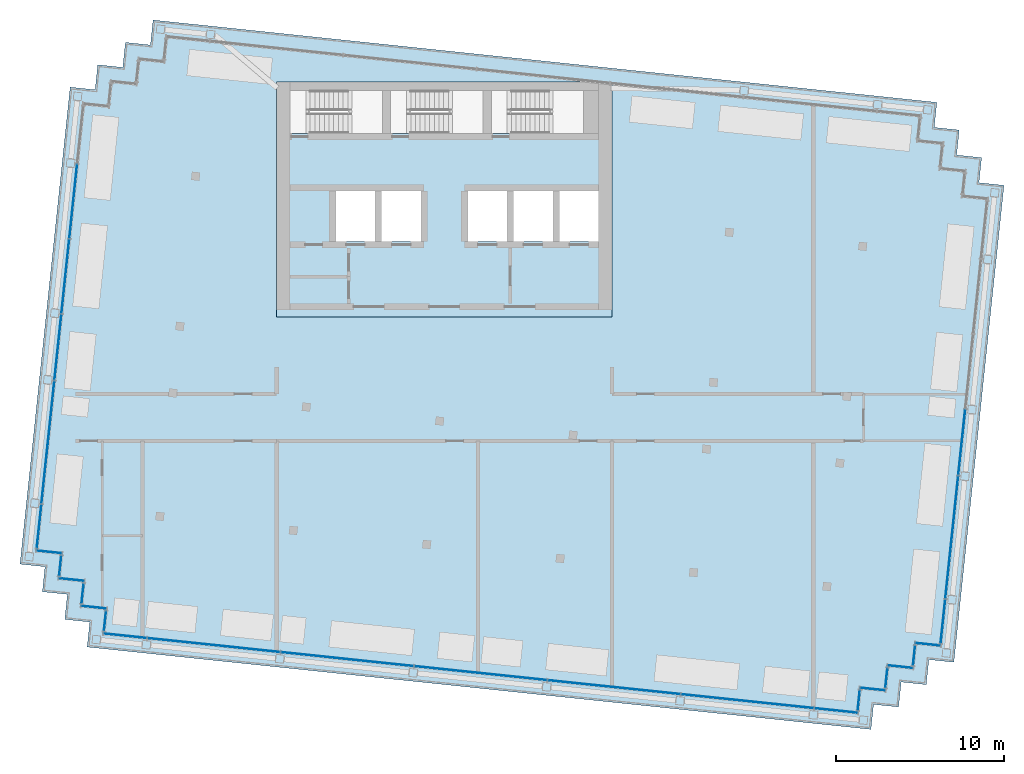
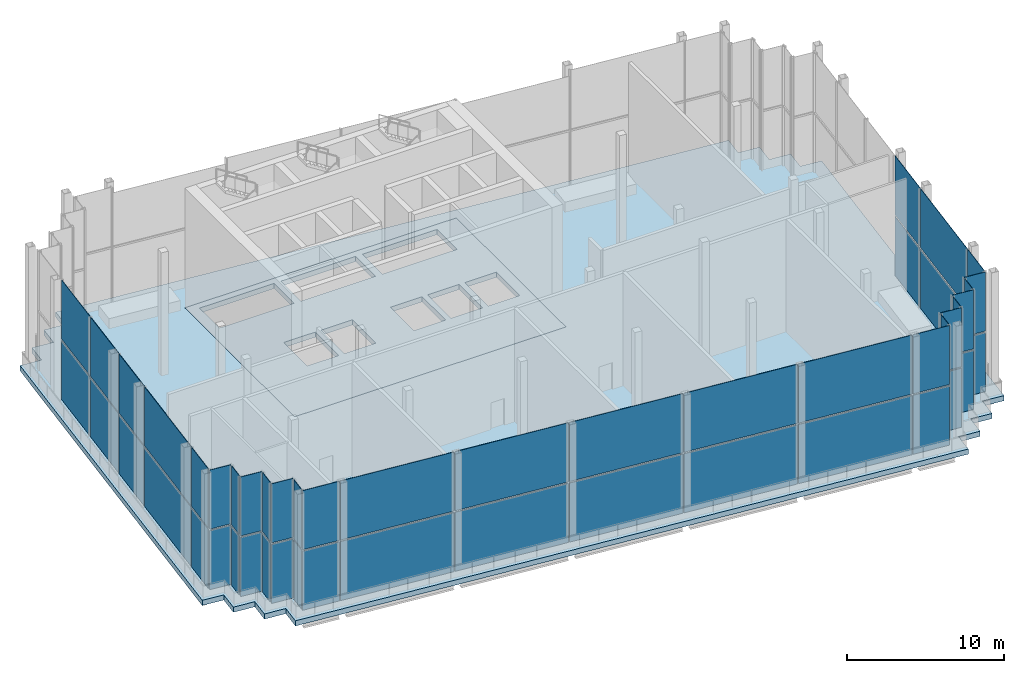
# One storey, part 6 of 14: 54 plates, 2 slabs, 15 elements without a shape of their own.
"""IFC4 building model written with IfcOpenShell, lengths in metres."""

from ifc_helpers import new_model, si_unit, direction, frame, origin, origin_2d, place, context, subcontext, project, spatial, polyline, rectangle, outline, extrude, material, layer, layer_set, type_object, element, aggregate, save


model = new_model("IFC4")

# Units and contexts
model_context = context("Model", 3, precision=1e-05, world=origin(), true_north=direction((0.0, 1.0)))
body_context = subcontext(model_context, "Body", "Model", "MODEL_VIEW")
ifc_project = project(units=[si_unit("LENGTHUNIT", "METRE"), si_unit("AREAUNIT", "SQUARE_METRE"), si_unit("VOLUMEUNIT", "CUBIC_METRE"), si_unit("PLANEANGLEUNIT", "RADIAN"), si_unit("MASSUNIT", "GRAM", prefix="KILO")], contexts=[model_context])

# Site, building, storey
site_placement = place(None, origin())
site = spatial("IfcSite", under=ifc_project, at=site_placement, CompositionType="ELEMENT")
building_placement = place(site_placement, origin())
building = spatial("IfcBuilding", under=site, at=building_placement, Name="Vidyagriha Tower", CompositionType="ELEMENT")
storey_placement = place(building_placement, frame((0.0, 0.0, 281.89990234375)))
storey = spatial("IfcBuildingStorey", under=building, at=storey_placement, Name="L74", CompositionType="ELEMENT", Elevation=281.89990234375)

# Slab
ifc_material_1 = material(Name="Concrete C60/75", Category="concrete")
ifc_layer_1 = layer(ifc_material_1, 0.39990234375)
ifc_layer_set_1 = layer_set([ifc_layer_1], Name="Concrete C60/75")
slab_type_1 = type_object("IfcSlabType", Name="Core floor slab 400 mm", PredefinedType="FLOOR", material=ifc_layer_set_1)
slab_1_placement = place(storey_placement, frame((0.0, 0.0, -0.39990234375)))
element("IfcSlab", 1, at=slab_1_placement, inside=storey, type_object=slab_type_1, Name="L74 core floor 1", PredefinedType="FLOOR", context=body_context, shape_type="SweptSolid", body=[
    extrude(outline(polyline([(-10.0, 6.0), (-10.0, 20.0), (10.0, 20.0), (10.0, 6.0), (-10.0, 6.0)]), holes=[polyline([(6.86669921875, 13.5), (6.86669921875, 10.5), (9.199951171875, 10.5), (9.199951171875, 13.5), (6.86669921875, 13.5)]), polyline([(4.0, 19.5), (2.800048828125, 19.5), (2.800048828125, 16.949951171875), (4.0, 16.949951171875), (8.300048828125, 16.949951171875), (8.300048828125, 19.5), (4.0, 19.5)]), polyline([(6.466796875, 13.5), (4.13330078125, 13.5), (4.13330078125, 10.5), (6.466796875, 10.5), (6.466796875, 13.5)]), polyline([(3.7333984375, 13.5), (1.39990234375, 13.5), (1.39990234375, 10.5), (3.7333984375, 10.5), (3.7333984375, 13.5)]), polyline([(-2.0, 16.949951171875), (2.300048828125, 16.949951171875), (2.300048828125, 19.5), (-2.0, 19.5), (-3.199951171875, 19.5), (-3.199951171875, 16.949951171875), (-2.0, 16.949951171875)]), polyline([(-3.7333984375, 13.5), (-3.7333984375, 10.5), (-1.39990234375, 10.5), (-1.39990234375, 13.5), (-3.7333984375, 13.5)]), polyline([(-9.199951171875, 19.5), (-9.199951171875, 16.949951171875), (-8.0, 16.949951171875), (-3.699951171875, 16.949951171875), (-3.699951171875, 19.5), (-8.0, 19.5), (-9.199951171875, 19.5)]), polyline([(-6.466796875, 13.5), (-6.466796875, 10.5), (-4.13330078125, 10.5), (-4.13330078125, 13.5), (-6.466796875, 13.5)])]), origin(), (0.0, 0.0, 1.0), 0.39990234375),
])

# Curtain wall, plates
ifc_material_2 = material(Name="Aluminium and glass curtain wall", Category="aluminium")
curtain_wall_type = type_object("IfcCurtainWallType", Name="Winter garden glazing wall", PredefinedType="USERDEFINED", material=ifc_material_2)
curtain_wall_1_placement = place(storey_placement, origin())
curtain_wall_1 = element("IfcCurtainWall", 2, at=curtain_wall_1_placement, inside=storey, type_object=curtain_wall_type, Name="CW3 winter garden glazing", ObjectType="STICK GLAZING", PredefinedType="USERDEFINED")
ifc_material_3 = material(Name="Laminated green-tint solar-control glass", Category="glass")
ifc_layer_2 = layer(ifc_material_3, 0.031982421875)
ifc_layer_set_2 = layer_set([ifc_layer_2], Name="Laminated green-tint solar-control glass")
plate_type = type_object("IfcPlateType", Name="Green-tint winter garden glass panel", PredefinedType="CURTAIN_PANEL", material=ifc_layer_set_2)
plate_1_placement = place(storey_placement, frame((-22.12744140625, 12.894287109375, 0.0), z_axis=(0.0, 0.0, 1.0), x_axis=(-0.104527289697, -0.994522018715, 0.0)))
plate_1 = element("IfcPlate", 3, at=plate_1_placement, type_object=plate_type, Name="CW3 panel 2.1", PredefinedType="CURTAIN_PANEL", context=body_context, shape_type="SweptSolid", body=[
    extrude(rectangle(XDim=4.420166015625, YDim=0.031982421875, at=origin_2d()), origin(), (0.0, 0.0, 1.0), 4.60009765625),
])
plate_2_placement = place(storey_placement, frame((-22.12744140625, 12.894287109375, 4.719970703125), z_axis=(0.0, 0.0, 1.0), x_axis=(-0.104527289697, -0.994522018715, 0.0)))
plate_2 = element("IfcPlate", 4, at=plate_2_placement, type_object=plate_type, Name="CW3 panel 2.2", PredefinedType="CURTAIN_PANEL", context=body_context, shape_type="SweptSolid", body=[
    extrude(rectangle(XDim=4.420166015625, YDim=0.031982421875, at=origin_2d()), origin(), (0.0, 0.0, 1.0), 4.60009765625),
])
plate_3_placement = place(storey_placement, frame((-22.597900390625, 8.4189453125, 0.0), z_axis=(0.0, 0.0, 1.0), x_axis=(-0.104527289697, -0.994522018715, 0.0)))
plate_3 = element("IfcPlate", 5, at=plate_3_placement, type_object=plate_type, Name="CW3 panel 3.1", PredefinedType="CURTAIN_PANEL", context=body_context, shape_type="SweptSolid", body=[
    extrude(rectangle(XDim=4.419921875, YDim=0.031982421875, at=origin_2d()), origin(), (0.0, 0.0, 1.0), 4.60009765625),
])
plate_4_placement = place(storey_placement, frame((-22.597900390625, 8.4189453125, 4.719970703125), z_axis=(0.0, 0.0, 1.0), x_axis=(-0.104527289697, -0.994522018715, 0.0)))
plate_4 = element("IfcPlate", 6, at=plate_4_placement, type_object=plate_type, Name="CW3 panel 3.2", PredefinedType="CURTAIN_PANEL", context=body_context, shape_type="SweptSolid", body=[
    extrude(rectangle(XDim=4.419921875, YDim=0.031982421875, at=origin_2d()), origin(), (0.0, 0.0, 1.0), 4.60009765625),
])
plate_5_placement = place(storey_placement, frame((-23.0419921875, 4.192138671875, 0.0), z_axis=(0.0, 0.0, 1.0), x_axis=(-0.104527289697, -0.994522018715, 0.0)))
plate_5 = element("IfcPlate", 7, at=plate_5_placement, type_object=plate_type, Name="CW3 panel 4.1", PredefinedType="CURTAIN_PANEL", context=body_context, shape_type="SweptSolid", body=[
    extrude(rectangle(XDim=3.919921875, YDim=0.031982421875, at=origin_2d()), origin(), (0.0, 0.0, 1.0), 4.60009765625),
])
plate_6_placement = place(storey_placement, frame((-23.0419921875, 4.192138671875, 4.719970703125), z_axis=(0.0, 0.0, 1.0), x_axis=(-0.104527289697, -0.994522018715, 0.0)))
plate_6 = element("IfcPlate", 8, at=plate_6_placement, type_object=plate_type, Name="CW3 panel 4.2", PredefinedType="CURTAIN_PANEL", context=body_context, shape_type="SweptSolid", body=[
    extrude(rectangle(XDim=3.919921875, YDim=0.031982421875, at=origin_2d()), origin(), (0.0, 0.0, 1.0), 4.60009765625),
])
plate_7_placement = place(storey_placement, frame((-23.637939453125, -1.4765625, 0.0), z_axis=(0.0, 0.0, 1.0), x_axis=(-0.104527289697, -0.994522018715, 0.0)))
plate_7 = element("IfcPlate", 9, at=plate_7_placement, type_object=plate_type, Name="CW3 panel 5.1", PredefinedType="CURTAIN_PANEL", context=body_context, shape_type="SweptSolid", body=[
    extrude(rectangle(XDim=7.320068359375, YDim=0.031982421875, at=origin_2d()), origin(), (0.0, 0.0, 1.0), 4.60009765625),
])
plate_8_placement = place(storey_placement, frame((-23.637939453125, -1.4765625, 4.719970703125), z_axis=(0.0, 0.0, 1.0), x_axis=(-0.104527289697, -0.994522018715, 0.0)))
plate_8 = element("IfcPlate", 10, at=plate_8_placement, type_object=plate_type, Name="CW3 panel 5.2", PredefinedType="CURTAIN_PANEL", context=body_context, shape_type="SweptSolid", body=[
    extrude(rectangle(XDim=7.320068359375, YDim=0.031982421875, at=origin_2d()), origin(), (0.0, 0.0, 1.0), 4.60009765625),
])
plate_9_placement = place(storey_placement, frame((-24.164794921875, -6.489013671875, 0.0), z_axis=(0.0, 0.0, 1.0), x_axis=(-0.104527289697, -0.994522018715, 0.0)))
plate_9 = element("IfcPlate", 11, at=plate_9_placement, type_object=plate_type, Name="CW3 panel 6.1", PredefinedType="CURTAIN_PANEL", context=body_context, shape_type="SweptSolid", body=[
    extrude(rectangle(XDim=2.599853515625, YDim=0.031982421875, at=origin_2d()), origin(), (0.0, 0.0, 1.0), 4.60009765625),
])
plate_10_placement = place(storey_placement, frame((-24.164794921875, -6.489013671875, 4.719970703125), z_axis=(0.0, 0.0, 1.0), x_axis=(-0.104527289697, -0.994522018715, 0.0)))
plate_10 = element("IfcPlate", 12, at=plate_10_placement, type_object=plate_type, Name="CW3 panel 6.2", PredefinedType="CURTAIN_PANEL", context=body_context, shape_type="SweptSolid", body=[
    extrude(rectangle(XDim=2.599853515625, YDim=0.031982421875, at=origin_2d()), origin(), (0.0, 0.0, 1.0), 4.60009765625),
])
aggregate(curtain_wall_1, [plate_1, plate_2, plate_3, plate_4, plate_5, plate_6, plate_7, plate_8, plate_9, plate_10])

curtain_wall_2_placement = place(storey_placement, origin())
curtain_wall_2 = element("IfcCurtainWall", 13, at=curtain_wall_2_placement, inside=storey, type_object=curtain_wall_type, Name="CW3 winter garden glazing", ObjectType="STICK GLAZING", PredefinedType="USERDEFINED")
plate_11_placement = place(storey_placement, frame((-23.5712890625, -8.019287109375, 0.0), z_axis=(0.0, 0.0, 1.0), x_axis=(0.994522933756, -0.104518583201, 0.0)))
plate_11 = element("IfcPlate", 14, at=plate_11_placement, type_object=plate_type, Name="CW3 panel 1.1", PredefinedType="CURTAIN_PANEL", context=body_context, shape_type="SweptSolid", body=[
    extrude(rectangle(XDim=1.5, YDim=0.031982421875, at=origin_2d()), origin(), (0.0, 0.0, 1.0), 4.60009765625),
])
plate_12_placement = place(storey_placement, frame((-23.5712890625, -8.019287109375, 4.719970703125), z_axis=(0.0, 0.0, 1.0), x_axis=(0.994522933756, -0.104518583201, 0.0)))
plate_12 = element("IfcPlate", 15, at=plate_12_placement, type_object=plate_type, Name="CW3 panel 1.2", PredefinedType="CURTAIN_PANEL", context=body_context, shape_type="SweptSolid", body=[
    extrude(rectangle(XDim=1.5, YDim=0.031982421875, at=origin_2d()), origin(), (0.0, 0.0, 1.0), 4.60009765625),
])
aggregate(curtain_wall_2, [plate_11, plate_12])

curtain_wall_3_placement = place(storey_placement, origin())
curtain_wall_3 = element("IfcCurtainWall", 16, at=curtain_wall_3_placement, inside=storey, type_object=curtain_wall_type, Name="CW3 winter garden glazing", ObjectType="STICK GLAZING", PredefinedType="USERDEFINED")
plate_13_placement = place(storey_placement, frame((-22.90380859375, -8.843505859375, 0.0), z_axis=(0.0, 0.0, 1.0), x_axis=(-0.104556583677, -0.994518939392, 0.0)))
plate_13 = element("IfcPlate", 17, at=plate_13_placement, type_object=plate_type, Name="CW3 panel 1.1", PredefinedType="CURTAIN_PANEL", context=body_context, shape_type="SweptSolid", body=[
    extrude(rectangle(XDim=1.179931640625, YDim=0.031982421875, at=origin_2d()), origin(), (0.0, 0.0, 1.0), 4.60009765625),
])
plate_14_placement = place(storey_placement, frame((-22.90380859375, -8.843505859375, 4.719970703125), z_axis=(0.0, 0.0, 1.0), x_axis=(-0.104556583677, -0.994518939392, 0.0)))
plate_14 = element("IfcPlate", 18, at=plate_14_placement, type_object=plate_type, Name="CW3 panel 1.2", PredefinedType="CURTAIN_PANEL", context=body_context, shape_type="SweptSolid", body=[
    extrude(rectangle(XDim=1.179931640625, YDim=0.031982421875, at=origin_2d()), origin(), (0.0, 0.0, 1.0), 4.60009765625),
])
aggregate(curtain_wall_3, [plate_13, plate_14])

curtain_wall_4_placement = place(storey_placement, origin())
curtain_wall_4 = element("IfcCurtainWall", 19, at=curtain_wall_4_placement, inside=storey, type_object=curtain_wall_type, Name="CW3 winter garden glazing", ObjectType="STICK GLAZING", PredefinedType="USERDEFINED")
plate_15_placement = place(storey_placement, frame((-22.236572265625, -9.667724609375, 0.0), z_axis=(0.0, 0.0, 1.0), x_axis=(0.994529193856, -0.104458999463, 0.0)))
plate_15 = element("IfcPlate", 20, at=plate_15_placement, type_object=plate_type, Name="CW3 panel 1.1", PredefinedType="CURTAIN_PANEL", context=body_context, shape_type="SweptSolid", body=[
    extrude(rectangle(XDim=1.5, YDim=0.031982421875, at=origin_2d()), origin(), (0.0, 0.0, 1.0), 4.60009765625),
])
plate_16_placement = place(storey_placement, frame((-22.236572265625, -9.667724609375, 4.719970703125), z_axis=(0.0, 0.0, 1.0), x_axis=(0.994529193856, -0.104458999463, 0.0)))
plate_16 = element("IfcPlate", 21, at=plate_16_placement, type_object=plate_type, Name="CW3 panel 1.2", PredefinedType="CURTAIN_PANEL", context=body_context, shape_type="SweptSolid", body=[
    extrude(rectangle(XDim=1.5, YDim=0.031982421875, at=origin_2d()), origin(), (0.0, 0.0, 1.0), 4.60009765625),
])
aggregate(curtain_wall_4, [plate_15, plate_16])

curtain_wall_5_placement = place(storey_placement, origin())
curtain_wall_5 = element("IfcCurtainWall", 22, at=curtain_wall_5_placement, inside=storey, type_object=curtain_wall_type, Name="CW3 winter garden glazing", ObjectType="STICK GLAZING", PredefinedType="USERDEFINED")
plate_17_placement = place(storey_placement, frame((-21.569091796875, -10.4921875, 0.0), z_axis=(0.0, 0.0, 1.0), x_axis=(-0.104548823962, -0.994519755162, 0.0)))
plate_17 = element("IfcPlate", 23, at=plate_17_placement, type_object=plate_type, Name="CW3 panel 1.1", PredefinedType="CURTAIN_PANEL", context=body_context, shape_type="SweptSolid", body=[
    extrude(rectangle(XDim=1.179931640625, YDim=0.031982421875, at=origin_2d()), origin(), (0.0, 0.0, 1.0), 4.60009765625),
])
plate_18_placement = place(storey_placement, frame((-21.569091796875, -10.4921875, 4.719970703125), z_axis=(0.0, 0.0, 1.0), x_axis=(-0.104548823962, -0.994519755162, 0.0)))
plate_18 = element("IfcPlate", 24, at=plate_18_placement, type_object=plate_type, Name="CW3 panel 1.2", PredefinedType="CURTAIN_PANEL", context=body_context, shape_type="SweptSolid", body=[
    extrude(rectangle(XDim=1.179931640625, YDim=0.031982421875, at=origin_2d()), origin(), (0.0, 0.0, 1.0), 4.60009765625),
])
aggregate(curtain_wall_5, [plate_17, plate_18])

curtain_wall_6_placement = place(storey_placement, origin())
curtain_wall_6 = element("IfcCurtainWall", 25, at=curtain_wall_6_placement, inside=storey, type_object=curtain_wall_type, Name="CW3 winter garden glazing", ObjectType="STICK GLAZING", PredefinedType="USERDEFINED")
plate_19_placement = place(storey_placement, frame((-20.901611328125, -11.31640625, 0.0), z_axis=(0.0, 0.0, 1.0), x_axis=(0.994522933756, -0.104518583201, 0.0)))
plate_19 = element("IfcPlate", 26, at=plate_19_placement, type_object=plate_type, Name="CW3 panel 1.1", PredefinedType="CURTAIN_PANEL", context=body_context, shape_type="SweptSolid", body=[
    extrude(rectangle(XDim=1.5, YDim=0.031982421875, at=origin_2d()), origin(), (0.0, 0.0, 1.0), 4.60009765625),
])
plate_20_placement = place(storey_placement, frame((-20.901611328125, -11.31640625, 4.719970703125), z_axis=(0.0, 0.0, 1.0), x_axis=(0.994522933756, -0.104518583201, 0.0)))
plate_20 = element("IfcPlate", 27, at=plate_20_placement, type_object=plate_type, Name="CW3 panel 1.2", PredefinedType="CURTAIN_PANEL", context=body_context, shape_type="SweptSolid", body=[
    extrude(rectangle(XDim=1.5, YDim=0.031982421875, at=origin_2d()), origin(), (0.0, 0.0, 1.0), 4.60009765625),
])
aggregate(curtain_wall_6, [plate_19, plate_20])

curtain_wall_7_placement = place(storey_placement, origin())
curtain_wall_7 = element("IfcCurtainWall", 28, at=curtain_wall_7_placement, inside=storey, type_object=curtain_wall_type, Name="CW3 winter garden glazing", ObjectType="STICK GLAZING", PredefinedType="USERDEFINED")
plate_21_placement = place(storey_placement, frame((-20.23388671875, -12.140625, 0.0), z_axis=(0.0, 0.0, 1.0), x_axis=(-0.104556583677, -0.994518939392, 0.0)))
plate_21 = element("IfcPlate", 29, at=plate_21_placement, type_object=plate_type, Name="CW3 panel 1.1", PredefinedType="CURTAIN_PANEL", context=body_context, shape_type="SweptSolid", body=[
    extrude(rectangle(XDim=1.179931640625, YDim=0.031982421875, at=origin_2d()), origin(), (0.0, 0.0, 1.0), 4.60009765625),
])
plate_22_placement = place(storey_placement, frame((-20.23388671875, -12.140625, 4.719970703125), z_axis=(0.0, 0.0, 1.0), x_axis=(-0.104556583677, -0.994518939392, 0.0)))
plate_22 = element("IfcPlate", 30, at=plate_22_placement, type_object=plate_type, Name="CW3 panel 1.2", PredefinedType="CURTAIN_PANEL", context=body_context, shape_type="SweptSolid", body=[
    extrude(rectangle(XDim=1.179931640625, YDim=0.031982421875, at=origin_2d()), origin(), (0.0, 0.0, 1.0), 4.60009765625),
])
aggregate(curtain_wall_7, [plate_21, plate_22])

curtain_wall_8_placement = place(storey_placement, origin())
curtain_wall_8 = element("IfcCurtainWall", 31, at=curtain_wall_8_placement, inside=storey, type_object=curtain_wall_type, Name="CW3 winter garden glazing", ObjectType="STICK GLAZING", PredefinedType="USERDEFINED")
plate_23_placement = place(storey_placement, frame((-19.039306640625, -13.0205078125, 0.0), z_axis=(0.0, 0.0, 1.0), x_axis=(0.99452191762, -0.104528251556, 0.0)))
plate_23 = element("IfcPlate", 32, at=plate_23_placement, type_object=plate_type, Name="CW3 panel 1.1", PredefinedType="CURTAIN_PANEL", context=body_context, shape_type="SweptSolid", body=[
    extrude(rectangle(XDim=2.56005859375, YDim=0.031982421875, at=origin_2d()), origin(), (0.0, 0.0, 1.0), 4.60009765625),
])
plate_24_placement = place(storey_placement, frame((-19.039306640625, -13.0205078125, 4.719970703125), z_axis=(0.0, 0.0, 1.0), x_axis=(0.99452191762, -0.104528251556, 0.0)))
plate_24 = element("IfcPlate", 33, at=plate_24_placement, type_object=plate_type, Name="CW3 panel 1.2", PredefinedType="CURTAIN_PANEL", context=body_context, shape_type="SweptSolid", body=[
    extrude(rectangle(XDim=2.56005859375, YDim=0.031982421875, at=origin_2d()), origin(), (0.0, 0.0, 1.0), 4.60009765625),
])
plate_25_placement = place(storey_placement, frame((-13.74853515625, -13.576416015625, 0.0), z_axis=(0.0, 0.0, 1.0), x_axis=(0.99452191762, -0.104528251556, 0.0)))
plate_25 = element("IfcPlate", 34, at=plate_25_placement, type_object=plate_type, Name="CW3 panel 2.1", PredefinedType="CURTAIN_PANEL", context=body_context, shape_type="SweptSolid", body=[
    extrude(rectangle(XDim=7.919921875, YDim=0.031982421875, at=origin_2d()), origin(), (0.0, 0.0, 1.0), 4.60009765625),
])
plate_26_placement = place(storey_placement, frame((-13.74853515625, -13.576416015625, 4.719970703125), z_axis=(0.0, 0.0, 1.0), x_axis=(0.99452191762, -0.104528251556, 0.0)))
plate_26 = element("IfcPlate", 35, at=plate_26_placement, type_object=plate_type, Name="CW3 panel 2.2", PredefinedType="CURTAIN_PANEL", context=body_context, shape_type="SweptSolid", body=[
    extrude(rectangle(XDim=7.919921875, YDim=0.031982421875, at=origin_2d()), origin(), (0.0, 0.0, 1.0), 4.60009765625),
])
plate_27_placement = place(storey_placement, frame((-5.792236328125, -14.41259765625, 0.0), z_axis=(0.0, 0.0, 1.0), x_axis=(0.99452191762, -0.104528251556, 0.0)))
plate_27 = element("IfcPlate", 36, at=plate_27_placement, type_object=plate_type, Name="CW3 panel 3.1", PredefinedType="CURTAIN_PANEL", context=body_context, shape_type="SweptSolid", body=[
    extrude(rectangle(XDim=7.919921875, YDim=0.031982421875, at=origin_2d()), origin(), (0.0, 0.0, 1.0), 4.60009765625),
])
plate_28_placement = place(storey_placement, frame((-5.792236328125, -14.41259765625, 4.719970703125), z_axis=(0.0, 0.0, 1.0), x_axis=(0.99452191762, -0.104528251556, 0.0)))
plate_28 = element("IfcPlate", 37, at=plate_28_placement, type_object=plate_type, Name="CW3 panel 3.2", PredefinedType="CURTAIN_PANEL", context=body_context, shape_type="SweptSolid", body=[
    extrude(rectangle(XDim=7.919921875, YDim=0.031982421875, at=origin_2d()), origin(), (0.0, 0.0, 1.0), 4.60009765625),
])
plate_29_placement = place(storey_placement, frame((2.163818359375, -15.248779296875, 0.0), z_axis=(0.0, 0.0, 1.0), x_axis=(0.99452191762, -0.104528251556, 0.0)))
plate_29 = element("IfcPlate", 38, at=plate_29_placement, type_object=plate_type, Name="CW3 panel 4.1", PredefinedType="CURTAIN_PANEL", context=body_context, shape_type="SweptSolid", body=[
    extrude(rectangle(XDim=7.919921875, YDim=0.031982421875, at=origin_2d()), origin(), (0.0, 0.0, 1.0), 4.60009765625),
])
plate_30_placement = place(storey_placement, frame((2.163818359375, -15.248779296875, 4.719970703125), z_axis=(0.0, 0.0, 1.0), x_axis=(0.99452191762, -0.104528251556, 0.0)))
plate_30 = element("IfcPlate", 39, at=plate_30_placement, type_object=plate_type, Name="CW3 panel 4.2", PredefinedType="CURTAIN_PANEL", context=body_context, shape_type="SweptSolid", body=[
    extrude(rectangle(XDim=7.919921875, YDim=0.031982421875, at=origin_2d()), origin(), (0.0, 0.0, 1.0), 4.60009765625),
])
plate_31_placement = place(storey_placement, frame((10.1201171875, -16.085205078125, 0.0), z_axis=(0.0, 0.0, 1.0), x_axis=(0.99452191762, -0.104528251556, 0.0)))
plate_31 = element("IfcPlate", 40, at=plate_31_placement, type_object=plate_type, Name="CW3 panel 5.1", PredefinedType="CURTAIN_PANEL", context=body_context, shape_type="SweptSolid", body=[
    extrude(rectangle(XDim=7.919921875, YDim=0.031982421875, at=origin_2d()), origin(), (0.0, 0.0, 1.0), 4.60009765625),
])
plate_32_placement = place(storey_placement, frame((10.1201171875, -16.085205078125, 4.719970703125), z_axis=(0.0, 0.0, 1.0), x_axis=(0.99452191762, -0.104528251556, 0.0)))
plate_32 = element("IfcPlate", 41, at=plate_32_placement, type_object=plate_type, Name="CW3 panel 5.2", PredefinedType="CURTAIN_PANEL", context=body_context, shape_type="SweptSolid", body=[
    extrude(rectangle(XDim=7.919921875, YDim=0.031982421875, at=origin_2d()), origin(), (0.0, 0.0, 1.0), 4.60009765625),
])
plate_33_placement = place(storey_placement, frame((18.076171875, -16.92138671875, 0.0), z_axis=(0.0, 0.0, 1.0), x_axis=(0.99452191762, -0.104528251556, 0.0)))
plate_33 = element("IfcPlate", 42, at=plate_33_placement, type_object=plate_type, Name="CW3 panel 6.1", PredefinedType="CURTAIN_PANEL", context=body_context, shape_type="SweptSolid", body=[
    extrude(rectangle(XDim=7.919921875, YDim=0.031982421875, at=origin_2d()), origin(), (0.0, 0.0, 1.0), 4.60009765625),
])
plate_34_placement = place(storey_placement, frame((18.076171875, -16.92138671875, 4.719970703125), z_axis=(0.0, 0.0, 1.0), x_axis=(0.99452191762, -0.104528251556, 0.0)))
plate_34 = element("IfcPlate", 43, at=plate_34_placement, type_object=plate_type, Name="CW3 panel 6.2", PredefinedType="CURTAIN_PANEL", context=body_context, shape_type="SweptSolid", body=[
    extrude(rectangle(XDim=7.919921875, YDim=0.031982421875, at=origin_2d()), origin(), (0.0, 0.0, 1.0), 4.60009765625),
])
plate_35_placement = place(storey_placement, frame((23.3671875, -17.477294921875, 0.0), z_axis=(0.0, 0.0, 1.0), x_axis=(0.99452191762, -0.104528251556, 0.0)))
plate_35 = element("IfcPlate", 44, at=plate_35_placement, type_object=plate_type, Name="CW3 panel 7.1", PredefinedType="CURTAIN_PANEL", context=body_context, shape_type="SweptSolid", body=[
    extrude(rectangle(XDim=2.56005859375, YDim=0.031982421875, at=origin_2d()), origin(), (0.0, 0.0, 1.0), 4.60009765625),
])
plate_36_placement = place(storey_placement, frame((23.3671875, -17.477294921875, 4.719970703125), z_axis=(0.0, 0.0, 1.0), x_axis=(0.99452191762, -0.104528251556, 0.0)))
plate_36 = element("IfcPlate", 45, at=plate_36_placement, type_object=plate_type, Name="CW3 panel 7.2", PredefinedType="CURTAIN_PANEL", context=body_context, shape_type="SweptSolid", body=[
    extrude(rectangle(XDim=2.56005859375, YDim=0.031982421875, at=origin_2d()), origin(), (0.0, 0.0, 1.0), 4.60009765625),
])
aggregate(curtain_wall_8, [plate_23, plate_24, plate_25, plate_26, plate_27, plate_28, plate_29, plate_30, plate_31, plate_32, plate_33, plate_34, plate_35, plate_36])

curtain_wall_9_placement = place(storey_placement, origin())
curtain_wall_9 = element("IfcCurtainWall", 46, at=curtain_wall_9_placement, inside=storey, type_object=curtain_wall_type, Name="CW3 winter garden glazing", ObjectType="STICK GLAZING", PredefinedType="USERDEFINED")
plate_37_placement = place(storey_placement, frame((24.718505859375, -16.865478515625, 0.0), z_axis=(0.0, 0.0, 1.0), x_axis=(0.104556583677, 0.994518939392, 0.0)))
plate_37 = element("IfcPlate", 47, at=plate_37_placement, type_object=plate_type, Name="CW3 panel 1.1", PredefinedType="CURTAIN_PANEL", context=body_context, shape_type="SweptSolid", body=[
    extrude(rectangle(XDim=1.179931640625, YDim=0.031982421875, at=origin_2d()), origin(), (0.0, 0.0, 1.0), 4.60009765625),
])
plate_38_placement = place(storey_placement, frame((24.718505859375, -16.865478515625, 4.719970703125), z_axis=(0.0, 0.0, 1.0), x_axis=(0.104556583677, 0.994518939392, 0.0)))
plate_38 = element("IfcPlate", 48, at=plate_38_placement, type_object=plate_type, Name="CW3 panel 1.2", PredefinedType="CURTAIN_PANEL", context=body_context, shape_type="SweptSolid", body=[
    extrude(rectangle(XDim=1.179931640625, YDim=0.031982421875, at=origin_2d()), origin(), (0.0, 0.0, 1.0), 4.60009765625),
])
aggregate(curtain_wall_9, [plate_37, plate_38])

curtain_wall_10_placement = place(storey_placement, origin())
curtain_wall_10 = element("IfcCurtainWall", 49, at=curtain_wall_10_placement, inside=storey, type_object=curtain_wall_type, Name="CW3 winter garden glazing", ObjectType="STICK GLAZING", PredefinedType="USERDEFINED")
plate_39_placement = place(storey_placement, frame((25.542724609375, -16.197998046875, 0.0), z_axis=(0.0, 0.0, 1.0), x_axis=(0.994522933756, -0.104518583201, 0.0)))
plate_39 = element("IfcPlate", 50, at=plate_39_placement, type_object=plate_type, Name="CW3 panel 1.1", PredefinedType="CURTAIN_PANEL", context=body_context, shape_type="SweptSolid", body=[
    extrude(rectangle(XDim=1.5, YDim=0.031982421875, at=origin_2d()), origin(), (0.0, 0.0, 1.0), 4.60009765625),
])
plate_40_placement = place(storey_placement, frame((25.542724609375, -16.197998046875, 4.719970703125), z_axis=(0.0, 0.0, 1.0), x_axis=(0.994522933756, -0.104518583201, 0.0)))
plate_40 = element("IfcPlate", 51, at=plate_40_placement, type_object=plate_type, Name="CW3 panel 1.2", PredefinedType="CURTAIN_PANEL", context=body_context, shape_type="SweptSolid", body=[
    extrude(rectangle(XDim=1.5, YDim=0.031982421875, at=origin_2d()), origin(), (0.0, 0.0, 1.0), 4.60009765625),
])
aggregate(curtain_wall_10, [plate_39, plate_40])

curtain_wall_11_placement = place(storey_placement, origin())
curtain_wall_11 = element("IfcCurtainWall", 52, at=curtain_wall_11_placement, inside=storey, type_object=curtain_wall_type, Name="CW3 winter garden glazing", ObjectType="STICK GLAZING", PredefinedType="USERDEFINED")
plate_41_placement = place(storey_placement, frame((26.366943359375, -15.530517578125, 0.0), z_axis=(0.0, 0.0, 1.0), x_axis=(0.104548823962, 0.994519755162, 0.0)))
plate_41 = element("IfcPlate", 53, at=plate_41_placement, type_object=plate_type, Name="CW3 panel 1.1", PredefinedType="CURTAIN_PANEL", context=body_context, shape_type="SweptSolid", body=[
    extrude(rectangle(XDim=1.179931640625, YDim=0.031982421875, at=origin_2d()), origin(), (0.0, 0.0, 1.0), 4.60009765625),
])
plate_42_placement = place(storey_placement, frame((26.366943359375, -15.530517578125, 4.719970703125), z_axis=(0.0, 0.0, 1.0), x_axis=(0.104548823962, 0.994519755162, 0.0)))
plate_42 = element("IfcPlate", 54, at=plate_42_placement, type_object=plate_type, Name="CW3 panel 1.2", PredefinedType="CURTAIN_PANEL", context=body_context, shape_type="SweptSolid", body=[
    extrude(rectangle(XDim=1.179931640625, YDim=0.031982421875, at=origin_2d()), origin(), (0.0, 0.0, 1.0), 4.60009765625),
])
aggregate(curtain_wall_11, [plate_41, plate_42])

curtain_wall_12_placement = place(storey_placement, origin())
curtain_wall_12 = element("IfcCurtainWall", 55, at=curtain_wall_12_placement, inside=storey, type_object=curtain_wall_type, Name="CW3 winter garden glazing", ObjectType="STICK GLAZING", PredefinedType="USERDEFINED")
plate_43_placement = place(storey_placement, frame((27.19140625, -14.86279296875, 0.0), z_axis=(0.0, 0.0, 1.0), x_axis=(0.994522933756, -0.104518583201, 0.0)))
plate_43 = element("IfcPlate", 56, at=plate_43_placement, type_object=plate_type, Name="CW3 panel 1.1", PredefinedType="CURTAIN_PANEL", context=body_context, shape_type="SweptSolid", body=[
    extrude(rectangle(XDim=1.5, YDim=0.031982421875, at=origin_2d()), origin(), (0.0, 0.0, 1.0), 4.60009765625),
])
plate_44_placement = place(storey_placement, frame((27.19140625, -14.86279296875, 4.719970703125), z_axis=(0.0, 0.0, 1.0), x_axis=(0.994522933756, -0.104518583201, 0.0)))
plate_44 = element("IfcPlate", 57, at=plate_44_placement, type_object=plate_type, Name="CW3 panel 1.2", PredefinedType="CURTAIN_PANEL", context=body_context, shape_type="SweptSolid", body=[
    extrude(rectangle(XDim=1.5, YDim=0.031982421875, at=origin_2d()), origin(), (0.0, 0.0, 1.0), 4.60009765625),
])
aggregate(curtain_wall_12, [plate_43, plate_44])

curtain_wall_13_placement = place(storey_placement, origin())
curtain_wall_13 = element("IfcCurtainWall", 58, at=curtain_wall_13_placement, inside=storey, type_object=curtain_wall_type, Name="CW3 winter garden glazing", ObjectType="STICK GLAZING", PredefinedType="USERDEFINED")
plate_45_placement = place(storey_placement, frame((28.015625, -14.1953125, 0.0), z_axis=(0.0, 0.0, 1.0), x_axis=(0.104548823962, 0.994519755162, 0.0)))
plate_45 = element("IfcPlate", 59, at=plate_45_placement, type_object=plate_type, Name="CW3 panel 1.1", PredefinedType="CURTAIN_PANEL", context=body_context, shape_type="SweptSolid", body=[
    extrude(rectangle(XDim=1.179931640625, YDim=0.031982421875, at=origin_2d()), origin(), (0.0, 0.0, 1.0), 4.60009765625),
])
plate_46_placement = place(storey_placement, frame((28.015625, -14.1953125, 4.719970703125), z_axis=(0.0, 0.0, 1.0), x_axis=(0.104548823962, 0.994519755162, 0.0)))
plate_46 = element("IfcPlate", 60, at=plate_46_placement, type_object=plate_type, Name="CW3 panel 1.2", PredefinedType="CURTAIN_PANEL", context=body_context, shape_type="SweptSolid", body=[
    extrude(rectangle(XDim=1.179931640625, YDim=0.031982421875, at=origin_2d()), origin(), (0.0, 0.0, 1.0), 4.60009765625),
])
aggregate(curtain_wall_13, [plate_45, plate_46])

curtain_wall_14_placement = place(storey_placement, origin())
curtain_wall_14 = element("IfcCurtainWall", 61, at=curtain_wall_14_placement, inside=storey, type_object=curtain_wall_type, Name="CW3 winter garden glazing", ObjectType="STICK GLAZING", PredefinedType="USERDEFINED")
plate_47_placement = place(storey_placement, frame((28.83984375, -13.528076171875, 0.0), z_axis=(0.0, 0.0, 1.0), x_axis=(0.994523591781, -0.104512321721, 0.0)))
plate_47 = element("IfcPlate", 62, at=plate_47_placement, type_object=plate_type, Name="CW3 panel 1.1", PredefinedType="CURTAIN_PANEL", context=body_context, shape_type="SweptSolid", body=[
    extrude(rectangle(XDim=1.5, YDim=0.031982421875, at=origin_2d()), origin(), (0.0, 0.0, 1.0), 4.60009765625),
])
plate_48_placement = place(storey_placement, frame((28.83984375, -13.528076171875, 4.719970703125), z_axis=(0.0, 0.0, 1.0), x_axis=(0.994523591781, -0.104512321721, 0.0)))
plate_48 = element("IfcPlate", 63, at=plate_48_placement, type_object=plate_type, Name="CW3 panel 1.2", PredefinedType="CURTAIN_PANEL", context=body_context, shape_type="SweptSolid", body=[
    extrude(rectangle(XDim=1.5, YDim=0.031982421875, at=origin_2d()), origin(), (0.0, 0.0, 1.0), 4.60009765625),
])
aggregate(curtain_wall_14, [plate_47, plate_48])

curtain_wall_15_placement = place(storey_placement, origin())
curtain_wall_15 = element("IfcCurtainWall", 64, at=curtain_wall_15_placement, inside=storey, type_object=curtain_wall_type, Name="CW3 winter garden glazing", ObjectType="STICK GLAZING", PredefinedType="USERDEFINED")
plate_49_placement = place(storey_placement, frame((29.73828125, -12.154296875, 0.0), z_axis=(0.0, 0.0, 1.0), x_axis=(0.104526899479, 0.994522059728, 0.0)))
plate_49 = element("IfcPlate", 65, at=plate_49_placement, type_object=plate_type, Name="CW3 panel 1.1", PredefinedType="CURTAIN_PANEL", context=body_context, shape_type="SweptSolid", body=[
    extrude(rectangle(XDim=2.60009765625, YDim=0.031982421875, at=origin_2d()), origin(), (0.0, 0.0, 1.0), 4.60009765625),
])
plate_50_placement = place(storey_placement, frame((29.73828125, -12.154296875, 4.719970703125), z_axis=(0.0, 0.0, 1.0), x_axis=(0.104526899479, 0.994522059728, 0.0)))
plate_50 = element("IfcPlate", 66, at=plate_50_placement, type_object=plate_type, Name="CW3 panel 1.2", PredefinedType="CURTAIN_PANEL", context=body_context, shape_type="SweptSolid", body=[
    extrude(rectangle(XDim=2.60009765625, YDim=0.031982421875, at=origin_2d()), origin(), (0.0, 0.0, 1.0), 4.60009765625),
])
plate_51_placement = place(storey_placement, frame((30.26513671875, -7.14208984375, 0.0), z_axis=(0.0, 0.0, 1.0), x_axis=(0.104526899479, 0.994522059728, 0.0)))
plate_51 = element("IfcPlate", 67, at=plate_51_placement, type_object=plate_type, Name="CW3 panel 2.1", PredefinedType="CURTAIN_PANEL", context=body_context, shape_type="SweptSolid", body=[
    extrude(rectangle(XDim=7.320068359375, YDim=0.031982421875, at=origin_2d()), origin(), (0.0, 0.0, 1.0), 4.60009765625),
])
plate_52_placement = place(storey_placement, frame((30.26513671875, -7.14208984375, 4.719970703125), z_axis=(0.0, 0.0, 1.0), x_axis=(0.104526899479, 0.994522059728, 0.0)))
plate_52 = element("IfcPlate", 68, at=plate_52_placement, type_object=plate_type, Name="CW3 panel 2.2", PredefinedType="CURTAIN_PANEL", context=body_context, shape_type="SweptSolid", body=[
    extrude(rectangle(XDim=7.320068359375, YDim=0.031982421875, at=origin_2d()), origin(), (0.0, 0.0, 1.0), 4.60009765625),
])
plate_53_placement = place(storey_placement, frame((30.861083984375, -1.47314453125, 0.0), z_axis=(0.0, 0.0, 1.0), x_axis=(0.104526899479, 0.994522059728, 0.0)))
plate_53 = element("IfcPlate", 69, at=plate_53_placement, type_object=plate_type, Name="CW3 panel 3.1", PredefinedType="CURTAIN_PANEL", context=body_context, shape_type="SweptSolid", body=[
    extrude(rectangle(XDim=3.919921875, YDim=0.031982421875, at=origin_2d()), origin(), (0.0, 0.0, 1.0), 4.60009765625),
])
plate_54_placement = place(storey_placement, frame((30.861083984375, -1.47314453125, 4.719970703125), z_axis=(0.0, 0.0, 1.0), x_axis=(0.104526899479, 0.994522059728, 0.0)))
plate_54 = element("IfcPlate", 70, at=plate_54_placement, type_object=plate_type, Name="CW3 panel 3.2", PredefinedType="CURTAIN_PANEL", context=body_context, shape_type="SweptSolid", body=[
    extrude(rectangle(XDim=3.919921875, YDim=0.031982421875, at=origin_2d()), origin(), (0.0, 0.0, 1.0), 4.60009765625),
])
aggregate(curtain_wall_15, [plate_49, plate_50, plate_51, plate_52, plate_53, plate_54])

# Slab
ifc_material_4 = material(Name="Concrete C50/60", Category="concrete")
ifc_layer_3 = layer(ifc_material_4, 0.39990234375)
ifc_layer_set_3 = layer_set([ifc_layer_3], Name="Concrete C50/60")
slab_type_2 = type_object("IfcSlabType", Name="Post-tensioned flat plate 400", PredefinedType="FLOOR", material=ifc_layer_set_3)
slab_2_placement = place(storey_placement, frame((0.0, 0.0, -0.39990234375)))
element("IfcSlab", 71, at=slab_2_placement, inside=storey, type_object=slab_type_2, Name="st-slab-L74-1", PredefinedType="FLOOR", context=body_context, shape_type="SweptSolid", body=[
    extrude(outline(polyline([(28.89501953125, -14.438720703125), (28.738037109375, -15.930419921875), (27.246337890625, -15.773681640625), (27.089599609375, -17.265380859375), (25.597900390625, -17.108642578125), (25.44091796875, -18.600341796875), (-21.301513671875, -13.6875), (-21.144775390625, -12.19580078125), (-22.636474609375, -12.0390625), (-22.479736328125, -10.547119140625), (-23.971435546875, -10.390380859375), (-23.814697265625, -8.898681640625), (-25.306396484375, -8.741943359375), (-22.31689453125, 19.701416015625), (-20.8251953125, 19.544677734375), (-20.66845703125, 21.036376953125), (-19.176513671875, 20.879638671875), (-19.019775390625, 22.371337890625), (-17.528076171875, 22.214599609375), (-17.371337890625, 23.706298828125), (29.371337890625, 18.793701171875), (29.214599609375, 17.3017578125), (30.706298828125, 17.14501953125), (30.549560546875, 15.6533203125), (32.041259765625, 15.496337890625), (31.884521484375, 14.004638671875), (33.376220703125, 13.847900390625), (30.38671875, -14.595458984375), (28.89501953125, -14.438720703125)]), holes=[polyline([(10.0, 20.0), (-10.0, 20.0), (-10.0, 6.0), (10.0, 6.0), (10.0, 20.0)])]), origin(), (0.0, 0.0, 1.0), 0.39990234375),
])

save(model, "model.ifc")
